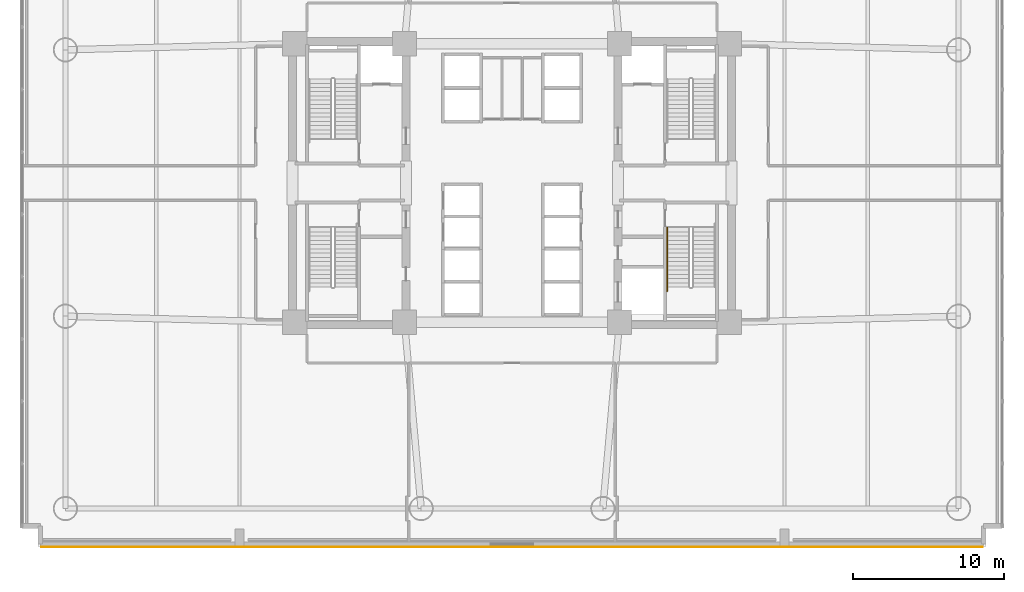
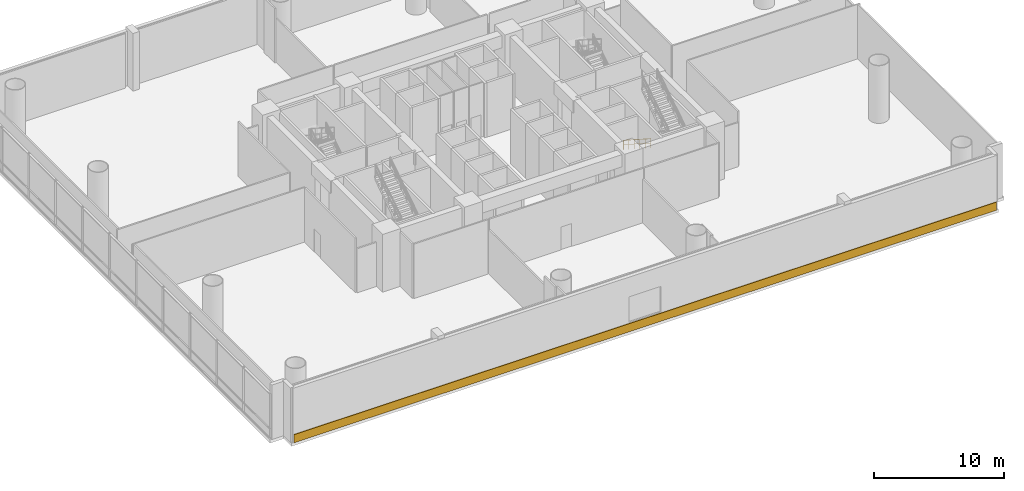
# One storey, part 13 of 15: 1 covering, 1 railing.
"""IFC4 building model written with IfcOpenShell, lengths in metres."""

from ifc_helpers import new_model, si_unit, direction, frame, origin, origin_2d, place, context, subcontext, project, spatial, rectangle, extrude, source, transform, mapped, material, layer, layer_set, type_object, element, save


model = new_model("IFC4")

# Units and contexts
model_context = context("Model", 3, precision=1e-05, world=origin(), true_north=direction((0.0, 1.0)))
body_context = subcontext(model_context, "Body", "Model", "MODEL_VIEW")
ifc_project = project(units=[si_unit("LENGTHUNIT", "METRE"), si_unit("AREAUNIT", "SQUARE_METRE"), si_unit("VOLUMEUNIT", "CUBIC_METRE"), si_unit("PLANEANGLEUNIT", "RADIAN"), si_unit("MASSUNIT", "GRAM", prefix="KILO")], contexts=[model_context])

# Site, building, storey
site_placement = place(None, origin())
site = spatial("IfcSite", under=ifc_project, at=site_placement, CompositionType="ELEMENT")
building_placement = place(site_placement, origin())
building = spatial("IfcBuilding", under=site, at=building_placement, Name="Zahravan Cultural Tower", CompositionType="ELEMENT")
storey_placement = place(building_placement, frame((0.0, 0.0, 7.199951171875)))
storey = spatial("IfcBuildingStorey", under=building, at=storey_placement, Name="L01", CompositionType="ELEMENT", Elevation=7.199951171875)

# Railing
ifc_material_1 = material(Name="Steel ASTM A572 Grade 50", Category="steel")
railing_type = type_object("IfcRailingType", Name="RL-STAIR-HR900", PredefinedType="HANDRAIL", material=ifc_material_1)
railing_placement = place(storey_placement, frame((46.25, 24.050048828125, 0.179931640625)))
element("IfcRailing", 1, at=railing_placement, inside=storey, type_object=railing_type, Name="L01 ST-E2 stair handrail 1", PredefinedType="HANDRAIL", context=body_context, shape_type="SweptSolid", body=[
    extrude(rectangle(XDim=0.05, YDim=0.05, at=origin_2d()), frame((0.0, 0.0, 0.875), z_axis=(0.0, -0.841157821942, 0.54078971753), x_axis=(1.0, 0.0, 0.0)), (0.0, 0.0, 1.0), 4.9931640625),
    extrude(rectangle(XDim=0.032, YDim=0.032, at=origin_2d()), frame((0.0, 0.0, 0.468017578125), z_axis=(0.0, -0.841157821942, 0.54078971753), x_axis=(1.0, 0.0, 0.0)), (0.0, 0.0, 1.0), 4.9931640625),
    extrude(rectangle(XDim=0.04, YDim=0.04, at=origin_2d()), origin(), (0.0, 0.0, 1.0), 0.89990234375),
    extrude(rectangle(XDim=0.04, YDim=0.04, at=origin_2d()), frame((0.0, -0.840087890625, 0.5400390625)), (0.0, 0.0, 1.0), 0.89990234375),
    extrude(rectangle(XDim=0.04, YDim=0.04, at=origin_2d()), frame((0.0, -1.679931640625, 1.080078125)), (0.0, 0.0, 1.0), 0.89990234375),
    extrude(rectangle(XDim=0.04, YDim=0.04, at=origin_2d()), frame((0.0, -2.52001953125, 1.6201171875)), (0.0, 0.0, 1.0), 0.89990234375),
    extrude(rectangle(XDim=0.04, YDim=0.04, at=origin_2d()), frame((0.0, -3.35986328125, 2.16015625)), (0.0, 0.0, 1.0), 0.89990234375),
    extrude(rectangle(XDim=0.04, YDim=0.04, at=origin_2d()), frame((0.0, -4.199951171875, 2.7001953125)), (0.0, 0.0, 1.0), 0.89990234375),
])

# Covering
ifc_material_2 = material(Name="Terracotta ceramic cladding", Category="masonry")
ifc_layer = layer(ifc_material_2, 0.06005859375)
ifc_layer_set = layer_set([ifc_layer], Name="Terracotta ceramic cladding")
covering_type = type_object("IfcCoveringType", Name="COV-CLAD-TC60", PredefinedType="CLADDING", material=ifc_layer_set)
shared_shape = source(origin(), body_context, "Body", "SweptSolid", [
    extrude(rectangle(XDim=62.219970703125, YDim=0.06005859375, at=origin_2d()), origin(), (0.0, 0.0, 1.0), 0.760009765625),
])
covering_placement = place(storey_placement, frame((36.0, 2.955078125, 0.02001953125), z_axis=(0.0, 0.0, 1.0), x_axis=(-1.0, 0.0, 0.0)))
element("IfcCovering", 2, at=covering_placement, inside=storey, type_object=covering_type, Name="L01 Terracotta Spandrel Cladding 03", PredefinedType="CLADDING", context=body_context, shape_type="MappedRepresentation", body=[
    mapped(shared_shape, transform((0.0, 0.0, 0.0), x_axis=(1.0, 0.0, 0.0), y_axis=(0.0, 1.0, 0.0), z_axis=(0.0, 0.0, 1.0), scale=1.0)),
])

save(model, "model.ifc")
